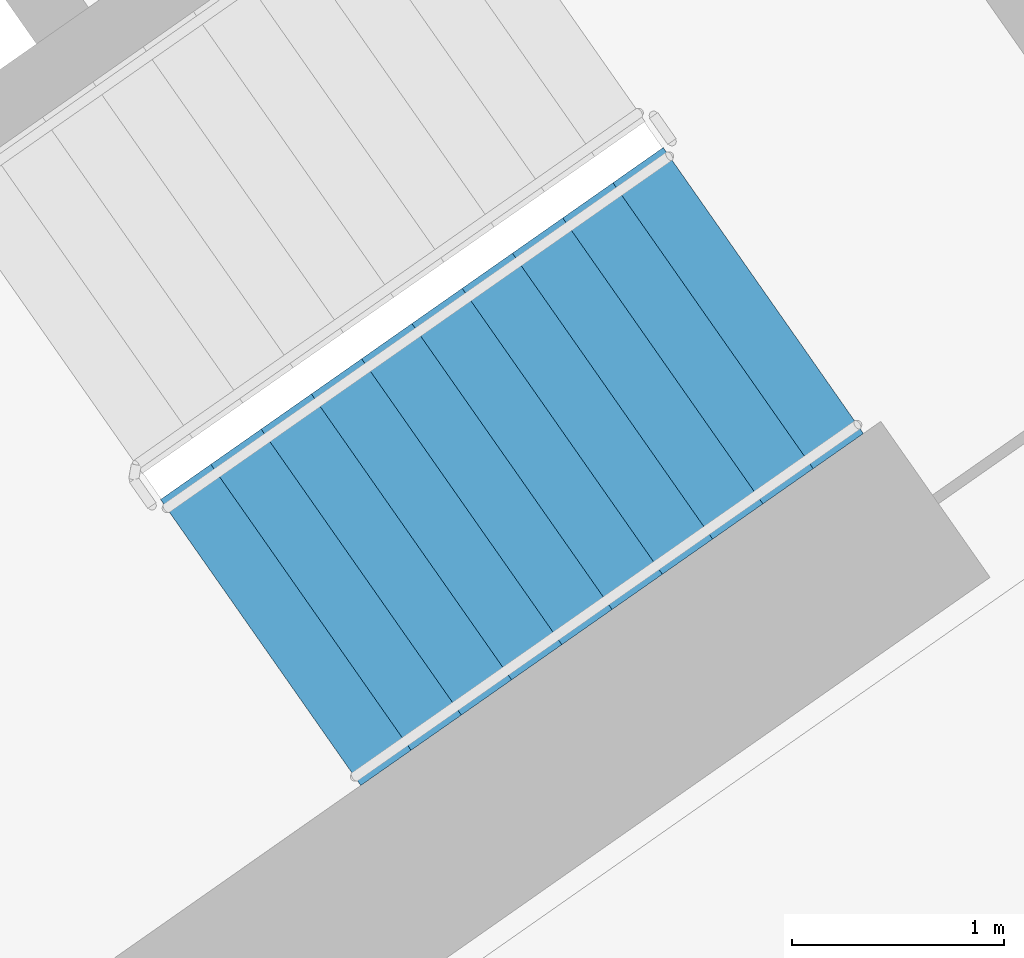
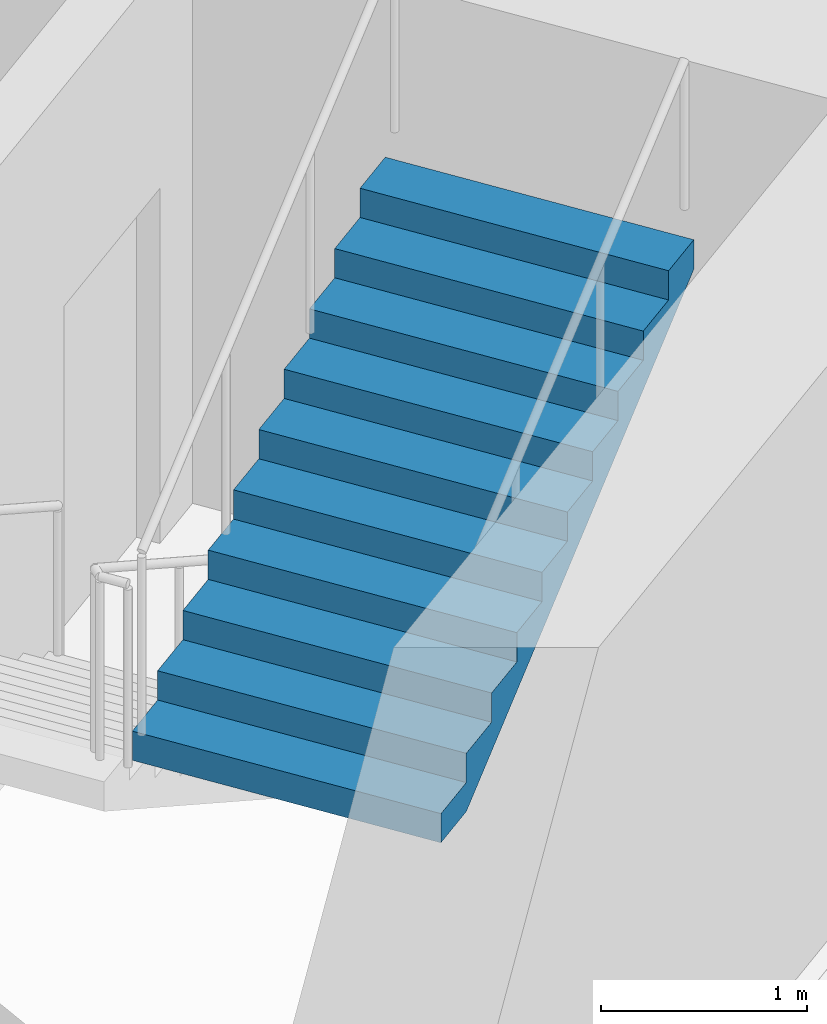
# One storey, part 14 of 28: 1 stair flight, 1 element without a shape of its own.
"""IFC4 building model written with IfcOpenShell, lengths in metres."""

import ifcopenshell
import ifcopenshell.guid

model = None  # the IFC model being written
_history = None  # IfcOwnerHistory: only IFC2X3 demands one
_inside = {}  # id of a spatial element -> (the spatial element, [elements in it])
_under = {}  # id of a project, library or spatial element -> (it, [spatial elements below it])
_declared = {}  # id of a project -> (the project, [libraries it declares])
_typed = {}  # id of a type object -> (the type object, [elements of that type])
_made_of = {}  # id of a material, layer set ... -> (it, [elements and type objects made of it])


def new_model(schema):
    """Start an empty IFC model of exactly this schema.

    Asked for "IFC4X3", IfcOpenShell would pick the latest addendum, in which some entities
    have other attributes; the version numbers below select the first issue.
    IFC2X3 requires an IfcOwnerHistory on every rooted entity: one is made here for all.
    """
    global model, _history
    if schema == "IFC4X3":
        model = ifcopenshell.file(schema_version=(4, 3, 0, 0))
    else:
        model = ifcopenshell.file(schema=schema)
    _inside.clear()
    _under.clear()
    _declared.clear()
    _typed.clear()
    _made_of.clear()
    _history = None
    if model.schema == "IFC2X3":
        org = make("IfcOrganization", Name="unknown")
        user = make(
            "IfcPersonAndOrganization",
            ThePerson=make("IfcPerson", FamilyName="unknown"),
            TheOrganization=org,
        )
        app = make(
            "IfcApplication",
            ApplicationDeveloper=org,
            Version="unknown",
            ApplicationFullName="unknown",
            ApplicationIdentifier="unknown",
        )
        _history = make(
            "IfcOwnerHistory",
            OwningUser=user,
            OwningApplication=app,
            ChangeAction="ADDED",
            CreationDate=0,
        )
    return model


def make(cls, **values):
    """One entity of the class cls with the attributes given. An attribute that is None is left unset."""
    return model.create_entity(
        cls, **{name: value for name, value in values.items() if value is not None}
    )


def rooted(cls, **values):
    """An entity with a GlobalId (a new one), such as an element, a storey or a relation."""
    return make(cls, GlobalId=ifcopenshell.guid.new(), OwnerHistory=_history, **values)


def si_unit(unit_type, name, prefix=None):
    """IfcSIUnit, for example si_unit("LENGTHUNIT", "METRE", prefix="MILLI")."""
    return make("IfcSIUnit", UnitType=unit_type, Prefix=prefix, Name=name)


def assignment(units):
    """IfcUnitAssignment: the units of a project."""
    return None if units is None else make("IfcUnitAssignment", Units=units)


def point(xyz):
    """IfcCartesianPoint."""
    return None if xyz is None else make("IfcCartesianPoint", Coordinates=xyz)


def direction(xyz):
    """IfcDirection."""
    return None if xyz is None else make("IfcDirection", DirectionRatios=xyz)


def frame(location, z_axis=None, x_axis=None):
    """IfcAxis2Placement3D, a coordinate frame: its origin and axes. An axis left out is left unset."""
    return make(
        "IfcAxis2Placement3D",
        Location=point(location),
        Axis=direction(z_axis),
        RefDirection=direction(x_axis),
    )


def origin():
    """The frame at (0, 0, 0) with its axes left unset."""
    return frame((0.0, 0.0, 0.0))


def place(relative_to, where):
    """IfcLocalPlacement: puts the frame where relative to a parent placement (None: the world)."""
    return make(
        "IfcLocalPlacement", PlacementRelTo=relative_to, RelativePlacement=where
    )


def context(
    kind, dimensions, precision=None, world=None, true_north=None, identifier=None
):
    """IfcGeometricRepresentationContext, for example the 3D "Model" context."""
    return make(
        "IfcGeometricRepresentationContext",
        ContextIdentifier=identifier,
        ContextType=kind,
        CoordinateSpaceDimension=dimensions,
        Precision=precision,
        WorldCoordinateSystem=world,
        TrueNorth=true_north,
    )


def subcontext(parent, identifier, kind, view, scale=None):
    """IfcGeometricRepresentationSubContext, for example "Body" below "Model"."""
    return make(
        "IfcGeometricRepresentationSubContext",
        ContextIdentifier=identifier,
        ContextType=kind,
        ParentContext=parent,
        TargetScale=scale,
        TargetView=view,
    )


def project(units=None, contexts=None):
    """IfcProject with its units and contexts."""
    return rooted(
        "IfcProject",
        Name="project",
        RepresentationContexts=contexts,
        UnitsInContext=assignment(units),
    )


def spatial(cls, under=None, at=None, **own):
    """A site, building, storey or space (cls), placed at a placement, below another one or the project."""
    s = rooted(cls, ObjectPlacement=at, **own)
    if under is not None:
        _under.setdefault(under.id(), (under, []))[1].append(s)
    return s


def faces_of(points, faces, orient=None, outer=None):
    """IfcFace entities. A face is a list of loops; a loop is a list of indices into points, from 0.

    orient and outer hold one flag for each loop. By default every Orientation is true, the
    first loop of a face is its IfcFaceOuterBound and the others are IfcFaceBound.
    """
    made = []
    for i, loops in enumerate(faces):
        bounds = []
        for j, loop in enumerate(loops):
            is_outer = j == 0 if outer is None else outer[i][j]
            bounds.append(
                make(
                    "IfcFaceOuterBound" if is_outer else "IfcFaceBound",
                    Bound=make("IfcPolyLoop", Polygon=[points[k] for k in loop]),
                    Orientation=True if orient is None else orient[i][j],
                )
            )
        made.append(make("IfcFace", Bounds=bounds))
    return made


def faceted_brep(points, faces, orient=None, outer=None, voids=None):
    """IfcFacetedBrep: a solid bounded by flat faces; with voids (closed shells), ...WithVoids."""
    shared = [point(p) for p in points]
    hull = make("IfcClosedShell", CfsFaces=faces_of(shared, faces, orient, outer))
    if voids is None:
        return make("IfcFacetedBrep", Outer=hull)
    return make(
        "IfcFacetedBrepWithVoids",
        Outer=hull,
        Voids=[
            make(cls, CfsFaces=faces_of(shared, fs, o, b)) for cls, fs, o, b in voids
        ],
    )


def shape(context_of_items, identifier, shape_type, items):
    """IfcShapeRepresentation: the items that make up one representation, for example the "Body"."""
    return make(
        "IfcShapeRepresentation",
        ContextOfItems=context_of_items,
        RepresentationIdentifier=identifier,
        RepresentationType=shape_type,
        Items=items,
    )


def material(Name=None, Category=None):
    """IfcMaterial."""
    return make("IfcMaterial", Name=Name, Category=Category)


def made_of(thing, what):
    """Note that an element or type object is made of a material, layer set ...; save() writes the relation."""
    if what is not None:
        _made_of.setdefault(what.id(), (what, []))[1].append(thing)
    return thing


def type_object(cls, material=None, **own):
    """A type object (cls), such as IfcWallType, which elements share."""
    return made_of(rooted(cls, **own), material)


def element(
    cls,
    number,
    at=None,
    inside=None,
    cuts=None,
    type_object=None,
    material=None,
    context=None,
    identifier="Body",
    shape_type=None,
    held_by="IfcProductDefinitionShape",
    body=None,
    shapes=None,
    **own,
):
    """One element of the class cls, such as IfcWall. Its Tag is "e" and its number.

    at: its placement. inside: the storey or other place that contains it. cuts: it is an
    opening in that element (IfcRelVoidsElement). A single representation is given by context,
    identifier, shape_type and body (its items); several are given by shapes. held_by: the class
    of the entity that holds the representations. save() writes the other relations.
    """
    e = rooted(cls, Tag="e%d" % number, ObjectPlacement=at, **own)
    if body is not None:
        shapes = [shape(context, identifier, shape_type, body)]
    if shapes is not None:
        e.Representation = make(held_by, Representations=shapes)
    if inside is not None:
        _inside.setdefault(inside.id(), (inside, []))[1].append(e)
    if cuts is not None:
        rooted(
            "IfcRelVoidsElement", RelatingBuildingElement=cuts, RelatedOpeningElement=e
        )
    if type_object is not None:
        _typed.setdefault(type_object.id(), (type_object, []))[1].append(e)
    return made_of(e, material)


def aggregate(whole, parts):
    """IfcRelAggregates: a whole, such as a stair, and the parts it consists of."""
    return rooted("IfcRelAggregates", RelatingObject=whole, RelatedObjects=parts)


def save(model, path):
    """Write the relations noted so far, then the file.

    IfcRelAggregates (storeys below a building ...), IfcRelContainedInSpatialStructure (elements
    in a storey), IfcRelDefinesByType, IfcRelAssociatesMaterial and IfcRelDeclares: one each for
    every whole, place, type object, material and project.
    """
    for whole, parts in _under.values():
        aggregate(whole, parts)
    for where, things in _inside.values():
        rooted(
            "IfcRelContainedInSpatialStructure",
            RelatedElements=things,
            RelatingStructure=where,
        )
    for kind, things in _typed.values():
        rooted("IfcRelDefinesByType", RelatedObjects=things, RelatingType=kind)
    for what, things in _made_of.values():
        rooted("IfcRelAssociatesMaterial", RelatedObjects=things, RelatingMaterial=what)
    for by, libraries in _declared.values():
        rooted("IfcRelDeclares", RelatingContext=by, RelatedDefinitions=libraries)
    model.write(path)


model = new_model("IFC4")

# Units and contexts
model_context = context("Model", 3, precision=1e-05, world=origin(), true_north=direction((0.0, 1.0)))
body_context = subcontext(model_context, "Body", "Model", "MODEL_VIEW")
ifc_project = project(units=[si_unit("LENGTHUNIT", "METRE"), si_unit("AREAUNIT", "SQUARE_METRE"), si_unit("VOLUMEUNIT", "CUBIC_METRE"), si_unit("PLANEANGLEUNIT", "RADIAN"), si_unit("MASSUNIT", "GRAM", prefix="KILO")], contexts=[model_context])

# Site, building, storey
site_placement = place(None, origin())
site = spatial("IfcSite", under=ifc_project, at=site_placement, CompositionType="ELEMENT")
building_placement = place(site_placement, origin())
building = spatial("IfcBuilding", under=site, at=building_placement, Name="Qamariyya Broadcast Tower", CompositionType="ELEMENT")
storey_placement = place(building_placement, frame((0.0, 0.0, 140.5)))
storey = spatial("IfcBuildingStorey", under=building, at=storey_placement, Name="L32", CompositionType="ELEMENT", Elevation=140.5)

# Stair, stair flight
ifc_material = material(Name="Concrete C50/60", Category="concrete")
stair_type = type_object("IfcStairType", Name="Exit stair 22 risers of 173 mm", PredefinedType="HALF_TURN_STAIR", material=ifc_material)
stair_placement = place(storey_placement, origin())
stair = element("IfcStair", 1, at=stair_placement, inside=storey, type_object=stair_type, Name="L32 Stair E1", PredefinedType="HALF_TURN_STAIR")
stair_flight_type = type_object("IfcStairFlightType", Name="Exit stair flight 11 risers of 173 mm", PredefinedType="STRAIGHT", material=ifc_material)
stair_flight_placement = place(storey_placement, frame((44.693359375, -58.64599609375, 1.89990234375), z_axis=(0.0, 0.0, 1.0), x_axis=(0.819152044289, 0.573576436351, 0.0)))
stair_flight = element("IfcStairFlight", 2, at=stair_flight_placement, type_object=stair_flight_type, Name="ST-E1 flight 2", NumberOfRisers=11, NumberOfTreads=10, PredefinedType="STRAIGHT", RiserHeight=0.172727273, TreadLength=0.29, context=body_context, shape_type="Brep", body=[
    faceted_brep([(0.0, 0.824951171875, 0.0), (0.0, 0.824951171875, 0.172607421875), (0.2900390625, 0.824951171875, 0.172607421875), (0.2900390625, 0.824951171875, 0.345458984375), (0.580078125, 0.824951171875, 0.345458984375), (0.580078125, 0.824951171875, 0.51806640625), (0.8701171875, 0.824951171875, 0.51806640625), (0.8701171875, 0.824951171875, 0.69091796875), (1.159912109375, 0.824951171875, 0.69091796875), (1.159912109375, 0.824951171875, 0.863525390625), (1.449951171875, 0.824951171875, 0.863525390625), (1.449951171875, 0.824951171875, 1.036376953125), (1.739990234375, 0.824951171875, 1.036376953125), (1.739990234375, 0.824951171875, 1.208984375), (2.030029296875, 0.824951171875, 1.208984375), (2.030029296875, 0.824951171875, 1.3818359375), (2.320068359375, 0.824951171875, 1.3818359375), (2.320068359375, 0.824951171875, 1.554443359375), (2.610107421875, 0.824951171875, 1.554443359375), (2.610107421875, 0.824951171875, 1.727294921875), (2.89990234375, 0.824951171875, 1.727294921875), (2.89990234375, 0.824951171875, 1.552734375), (0.29296875, 0.824951171875, 0.0), (0.29296875, -0.824951171875, 0.0), (2.89990234375, -0.824951171875, 1.552734375), (2.89990234375, -0.824951171875, 1.727294921875), (2.610107421875, -0.824951171875, 1.727294921875), (2.610107421875, -0.824951171875, 1.554443359375), (2.320068359375, -0.824951171875, 1.554443359375), (2.320068359375, -0.824951171875, 1.3818359375), (2.030029296875, -0.824951171875, 1.3818359375), (2.030029296875, -0.824951171875, 1.208984375), (1.739990234375, -0.824951171875, 1.208984375), (1.739990234375, -0.824951171875, 1.036376953125), (1.449951171875, -0.824951171875, 1.036376953125), (1.449951171875, -0.824951171875, 0.863525390625), (1.159912109375, -0.824951171875, 0.863525390625), (1.159912109375, -0.824951171875, 0.69091796875), (0.8701171875, -0.824951171875, 0.69091796875), (0.8701171875, -0.824951171875, 0.51806640625), (0.580078125, -0.824951171875, 0.51806640625), (0.580078125, -0.824951171875, 0.345458984375), (0.2900390625, -0.824951171875, 0.345458984375), (0.2900390625, -0.824951171875, 0.172607421875), (0.0, -0.824951171875, 0.172607421875), (0.0, -0.824951171875, 0.0), (0.0, 0.10009765625, 0.0), (0.0, 0.086669921875, 0.0), (0.0, 0.0732421875, 0.0), (0.0, 0.06005859375, 0.0), (0.0, 0.046630859375, 0.0), (0.0, 0.033447265625, 0.0), (0.0, 0.02001953125, 0.0), (0.0, 0.006591796875, 0.0), (0.0, -0.006591796875, 0.0), (0.0, -0.02001953125, 0.0), (0.0, -0.033447265625, 0.0), (0.0, -0.046630859375, 0.0), (0.0, -0.06005859375, 0.0), (0.0, -0.0732421875, 0.0), (0.0, -0.086669921875, 0.0), (0.0, -0.10009765625, 0.0), (0.0, -0.10009765625, 0.172607421875), (0.0, -0.086669921875, 0.172607421875), (0.0, -0.0732421875, 0.172607421875), (0.0, -0.06005859375, 0.172607421875), (0.0, -0.046630859375, 0.172607421875), (0.0, -0.033447265625, 0.172607421875), (0.0, -0.02001953125, 0.172607421875), (0.0, -0.006591796875, 0.172607421875), (0.0, 0.006591796875, 0.172607421875), (0.0, 0.02001953125, 0.172607421875), (0.0, 0.033447265625, 0.172607421875), (0.0, 0.046630859375, 0.172607421875), (0.0, 0.06005859375, 0.172607421875), (0.0, 0.0732421875, 0.172607421875), (0.0, 0.086669921875, 0.172607421875), (0.0, 0.10009765625, 0.172607421875), (0.2900390625, -0.10009765625, 0.172607421875), (0.2900390625, -0.086669921875, 0.172607421875), (0.2900390625, -0.0732421875, 0.172607421875), (0.2900390625, -0.06005859375, 0.172607421875), (0.2900390625, -0.046630859375, 0.172607421875), (0.2900390625, -0.033447265625, 0.172607421875), (0.2900390625, -0.02001953125, 0.172607421875), (0.2900390625, -0.006591796875, 0.172607421875), (0.2900390625, 0.006591796875, 0.172607421875), (0.2900390625, 0.02001953125, 0.172607421875), (0.2900390625, 0.033447265625, 0.172607421875), (0.2900390625, 0.046630859375, 0.172607421875), (0.2900390625, 0.06005859375, 0.172607421875), (0.2900390625, 0.0732421875, 0.172607421875), (0.2900390625, 0.086669921875, 0.172607421875), (0.2900390625, 0.10009765625, 0.172607421875), (0.2900390625, -0.10009765625, 0.345458984375), (0.2900390625, -0.086669921875, 0.345458984375), (0.2900390625, -0.0732421875, 0.345458984375), (0.2900390625, -0.06005859375, 0.345458984375), (0.2900390625, -0.046630859375, 0.345458984375), (0.2900390625, -0.033447265625, 0.345458984375), (0.2900390625, -0.02001953125, 0.345458984375), (0.2900390625, -0.006591796875, 0.345458984375), (0.2900390625, 0.006591796875, 0.345458984375), (0.2900390625, 0.02001953125, 0.345458984375), (0.2900390625, 0.033447265625, 0.345458984375), (0.2900390625, 0.046630859375, 0.345458984375), (0.2900390625, 0.06005859375, 0.345458984375), (0.2900390625, 0.0732421875, 0.345458984375), (0.2900390625, 0.086669921875, 0.345458984375), (0.2900390625, 0.10009765625, 0.345458984375), (0.580078125, -0.10009765625, 0.345458984375), (0.580078125, -0.086669921875, 0.345458984375), (0.580078125, -0.0732421875, 0.345458984375), (0.580078125, -0.06005859375, 0.345458984375), (0.580078125, -0.046630859375, 0.345458984375), (0.580078125, -0.033447265625, 0.345458984375), (0.580078125, -0.02001953125, 0.345458984375), (0.580078125, -0.006591796875, 0.345458984375), (0.580078125, 0.006591796875, 0.345458984375), (0.580078125, 0.02001953125, 0.345458984375), (0.580078125, 0.033447265625, 0.345458984375), (0.580078125, 0.046630859375, 0.345458984375), (0.580078125, 0.06005859375, 0.345458984375), (0.580078125, 0.0732421875, 0.345458984375), (0.580078125, 0.086669921875, 0.345458984375), (0.580078125, 0.10009765625, 0.345458984375), (0.580078125, -0.10009765625, 0.51806640625), (0.580078125, -0.086669921875, 0.51806640625), (0.580078125, -0.0732421875, 0.51806640625), (0.580078125, -0.06005859375, 0.51806640625), (0.580078125, -0.046630859375, 0.51806640625), (0.580078125, -0.033447265625, 0.51806640625), (0.580078125, -0.02001953125, 0.51806640625), (0.580078125, -0.006591796875, 0.51806640625), (0.580078125, 0.006591796875, 0.51806640625), (0.580078125, 0.02001953125, 0.51806640625), (0.580078125, 0.033447265625, 0.51806640625), (0.580078125, 0.046630859375, 0.51806640625), (0.580078125, 0.06005859375, 0.51806640625), (0.580078125, 0.0732421875, 0.51806640625), (0.580078125, 0.086669921875, 0.51806640625), (0.580078125, 0.10009765625, 0.51806640625), (0.8701171875, -0.10009765625, 0.51806640625), (0.8701171875, -0.086669921875, 0.51806640625), (0.8701171875, -0.0732421875, 0.51806640625), (0.8701171875, -0.06005859375, 0.51806640625), (0.8701171875, -0.046630859375, 0.51806640625), (0.8701171875, -0.033447265625, 0.51806640625), (0.8701171875, -0.02001953125, 0.51806640625), (0.8701171875, -0.006591796875, 0.51806640625), (0.8701171875, 0.006591796875, 0.51806640625), (0.8701171875, 0.02001953125, 0.51806640625), (0.8701171875, 0.033447265625, 0.51806640625), (0.8701171875, 0.046630859375, 0.51806640625), (0.8701171875, 0.06005859375, 0.51806640625), (0.8701171875, 0.0732421875, 0.51806640625), (0.8701171875, 0.086669921875, 0.51806640625), (0.8701171875, 0.10009765625, 0.51806640625), (0.8701171875, -0.10009765625, 0.69091796875), (0.8701171875, -0.086669921875, 0.69091796875), (0.8701171875, -0.0732421875, 0.69091796875), (0.8701171875, -0.06005859375, 0.69091796875), (0.8701171875, -0.046630859375, 0.69091796875), (0.8701171875, -0.033447265625, 0.69091796875), (0.8701171875, -0.02001953125, 0.69091796875), (0.8701171875, -0.006591796875, 0.69091796875), (0.8701171875, 0.006591796875, 0.69091796875), (0.8701171875, 0.02001953125, 0.69091796875), (0.8701171875, 0.033447265625, 0.69091796875), (0.8701171875, 0.046630859375, 0.69091796875), (0.8701171875, 0.06005859375, 0.69091796875), (0.8701171875, 0.0732421875, 0.69091796875), (0.8701171875, 0.086669921875, 0.69091796875), (0.8701171875, 0.10009765625, 0.69091796875), (1.159912109375, -0.10009765625, 0.69091796875), (1.159912109375, -0.086669921875, 0.69091796875), (1.159912109375, -0.0732421875, 0.69091796875), (1.159912109375, -0.06005859375, 0.69091796875), (1.159912109375, -0.046630859375, 0.69091796875), (1.159912109375, -0.033447265625, 0.69091796875), (1.159912109375, -0.02001953125, 0.69091796875), (1.159912109375, -0.006591796875, 0.69091796875), (1.159912109375, 0.006591796875, 0.69091796875), (1.159912109375, 0.02001953125, 0.69091796875), (1.159912109375, 0.033447265625, 0.69091796875), (1.159912109375, 0.046630859375, 0.69091796875), (1.159912109375, 0.06005859375, 0.69091796875), (1.159912109375, 0.0732421875, 0.69091796875), (1.159912109375, 0.086669921875, 0.69091796875), (1.159912109375, 0.10009765625, 0.69091796875), (1.159912109375, -0.10009765625, 0.863525390625), (1.159912109375, -0.086669921875, 0.863525390625), (1.159912109375, -0.0732421875, 0.863525390625), (1.159912109375, -0.06005859375, 0.863525390625), (1.159912109375, -0.046630859375, 0.863525390625), (1.159912109375, -0.033447265625, 0.863525390625), (1.159912109375, -0.02001953125, 0.863525390625), (1.159912109375, -0.006591796875, 0.863525390625), (1.159912109375, 0.006591796875, 0.863525390625), (1.159912109375, 0.02001953125, 0.863525390625), (1.159912109375, 0.033447265625, 0.863525390625), (1.159912109375, 0.046630859375, 0.863525390625), (1.159912109375, 0.06005859375, 0.863525390625), (1.159912109375, 0.0732421875, 0.863525390625), (1.159912109375, 0.086669921875, 0.863525390625), (1.159912109375, 0.10009765625, 0.863525390625), (1.449951171875, -0.10009765625, 0.863525390625), (1.449951171875, -0.086669921875, 0.863525390625), (1.449951171875, -0.0732421875, 0.863525390625), (1.449951171875, -0.06005859375, 0.863525390625), (1.449951171875, -0.046630859375, 0.863525390625), (1.449951171875, -0.033447265625, 0.863525390625), (1.449951171875, -0.02001953125, 0.863525390625), (1.449951171875, -0.006591796875, 0.863525390625), (1.449951171875, 0.006591796875, 0.863525390625), (1.449951171875, 0.02001953125, 0.863525390625), (1.449951171875, 0.033447265625, 0.863525390625), (1.449951171875, 0.046630859375, 0.863525390625), (1.449951171875, 0.06005859375, 0.863525390625), (1.449951171875, 0.0732421875, 0.863525390625), (1.449951171875, 0.086669921875, 0.863525390625), (1.449951171875, 0.10009765625, 0.863525390625), (1.449951171875, -0.10009765625, 1.036376953125), (1.449951171875, -0.086669921875, 1.036376953125), (1.449951171875, -0.0732421875, 1.036376953125), (1.449951171875, -0.06005859375, 1.036376953125), (1.449951171875, -0.046630859375, 1.036376953125), (1.449951171875, -0.033447265625, 1.036376953125), (1.449951171875, -0.02001953125, 1.036376953125), (1.449951171875, -0.006591796875, 1.036376953125), (1.449951171875, 0.006591796875, 1.036376953125), (1.449951171875, 0.02001953125, 1.036376953125), (1.449951171875, 0.033447265625, 1.036376953125), (1.449951171875, 0.046630859375, 1.036376953125), (1.449951171875, 0.06005859375, 1.036376953125), (1.449951171875, 0.0732421875, 1.036376953125), (1.449951171875, 0.086669921875, 1.036376953125), (1.449951171875, 0.10009765625, 1.036376953125), (1.739990234375, -0.10009765625, 1.036376953125), (1.739990234375, -0.086669921875, 1.036376953125), (1.739990234375, -0.0732421875, 1.036376953125), (1.739990234375, -0.06005859375, 1.036376953125), (1.739990234375, -0.046630859375, 1.036376953125), (1.739990234375, -0.033447265625, 1.036376953125), (1.739990234375, -0.02001953125, 1.036376953125), (1.739990234375, -0.006591796875, 1.036376953125), (1.739990234375, 0.006591796875, 1.036376953125), (1.739990234375, 0.02001953125, 1.036376953125), (1.739990234375, 0.033447265625, 1.036376953125), (1.739990234375, 0.046630859375, 1.036376953125), (1.739990234375, 0.06005859375, 1.036376953125), (1.739990234375, 0.0732421875, 1.036376953125), (1.739990234375, 0.086669921875, 1.036376953125), (1.739990234375, 0.10009765625, 1.036376953125), (1.739990234375, -0.10009765625, 1.208984375), (1.739990234375, -0.086669921875, 1.208984375), (1.739990234375, -0.0732421875, 1.208984375), (1.739990234375, -0.06005859375, 1.208984375), (1.739990234375, -0.046630859375, 1.208984375), (1.739990234375, -0.033447265625, 1.208984375), (1.739990234375, -0.02001953125, 1.208984375), (1.739990234375, -0.006591796875, 1.208984375), (1.739990234375, 0.006591796875, 1.208984375), (1.739990234375, 0.02001953125, 1.208984375), (1.739990234375, 0.033447265625, 1.208984375), (1.739990234375, 0.046630859375, 1.208984375), (1.739990234375, 0.06005859375, 1.208984375), (1.739990234375, 0.0732421875, 1.208984375), (1.739990234375, 0.086669921875, 1.208984375), (1.739990234375, 0.10009765625, 1.208984375), (2.030029296875, -0.10009765625, 1.208984375), (2.030029296875, -0.086669921875, 1.208984375), (2.030029296875, -0.0732421875, 1.208984375), (2.030029296875, -0.06005859375, 1.208984375), (2.030029296875, -0.046630859375, 1.208984375), (2.030029296875, -0.033447265625, 1.208984375), (2.030029296875, -0.02001953125, 1.208984375), (2.030029296875, -0.006591796875, 1.208984375), (2.030029296875, 0.006591796875, 1.208984375), (2.030029296875, 0.02001953125, 1.208984375), (2.030029296875, 0.033447265625, 1.208984375), (2.030029296875, 0.046630859375, 1.208984375), (2.030029296875, 0.06005859375, 1.208984375), (2.030029296875, 0.0732421875, 1.208984375), (2.030029296875, 0.086669921875, 1.208984375), (2.030029296875, 0.10009765625, 1.208984375), (2.030029296875, -0.10009765625, 1.3818359375), (2.030029296875, -0.086669921875, 1.3818359375), (2.030029296875, -0.0732421875, 1.3818359375), (2.030029296875, -0.06005859375, 1.3818359375), (2.030029296875, -0.046630859375, 1.3818359375), (2.030029296875, -0.033447265625, 1.3818359375), (2.030029296875, -0.02001953125, 1.3818359375), (2.030029296875, -0.006591796875, 1.3818359375), (2.030029296875, 0.006591796875, 1.3818359375), (2.030029296875, 0.02001953125, 1.3818359375), (2.030029296875, 0.033447265625, 1.3818359375), (2.030029296875, 0.046630859375, 1.3818359375), (2.030029296875, 0.06005859375, 1.3818359375), (2.030029296875, 0.0732421875, 1.3818359375), (2.030029296875, 0.086669921875, 1.3818359375), (2.030029296875, 0.10009765625, 1.3818359375), (2.320068359375, -0.10009765625, 1.3818359375), (2.320068359375, -0.086669921875, 1.3818359375), (2.320068359375, -0.0732421875, 1.3818359375), (2.320068359375, -0.06005859375, 1.3818359375), (2.320068359375, -0.046630859375, 1.3818359375), (2.320068359375, -0.033447265625, 1.3818359375), (2.320068359375, -0.02001953125, 1.3818359375), (2.320068359375, -0.006591796875, 1.3818359375), (2.320068359375, 0.006591796875, 1.3818359375), (2.320068359375, 0.02001953125, 1.3818359375), (2.320068359375, 0.033447265625, 1.3818359375), (2.320068359375, 0.046630859375, 1.3818359375), (2.320068359375, 0.06005859375, 1.3818359375), (2.320068359375, 0.0732421875, 1.3818359375), (2.320068359375, 0.086669921875, 1.3818359375), (2.320068359375, 0.10009765625, 1.3818359375), (2.320068359375, -0.10009765625, 1.554443359375), (2.320068359375, -0.086669921875, 1.554443359375), (2.320068359375, -0.0732421875, 1.554443359375), (2.320068359375, -0.06005859375, 1.554443359375), (2.320068359375, -0.046630859375, 1.554443359375), (2.320068359375, -0.033447265625, 1.554443359375), (2.320068359375, -0.02001953125, 1.554443359375), (2.320068359375, -0.006591796875, 1.554443359375), (2.320068359375, 0.006591796875, 1.554443359375), (2.320068359375, 0.02001953125, 1.554443359375), (2.320068359375, 0.033447265625, 1.554443359375), (2.320068359375, 0.046630859375, 1.554443359375), (2.320068359375, 0.06005859375, 1.554443359375), (2.320068359375, 0.0732421875, 1.554443359375), (2.320068359375, 0.086669921875, 1.554443359375), (2.320068359375, 0.10009765625, 1.554443359375), (2.610107421875, -0.10009765625, 1.554443359375), (2.610107421875, -0.086669921875, 1.554443359375), (2.610107421875, -0.0732421875, 1.554443359375), (2.610107421875, -0.06005859375, 1.554443359375), (2.610107421875, -0.046630859375, 1.554443359375), (2.610107421875, -0.033447265625, 1.554443359375), (2.610107421875, -0.02001953125, 1.554443359375), (2.610107421875, -0.006591796875, 1.554443359375), (2.610107421875, 0.006591796875, 1.554443359375), (2.610107421875, 0.02001953125, 1.554443359375), (2.610107421875, 0.033447265625, 1.554443359375), (2.610107421875, 0.046630859375, 1.554443359375), (2.610107421875, 0.06005859375, 1.554443359375), (2.610107421875, 0.0732421875, 1.554443359375), (2.610107421875, 0.086669921875, 1.554443359375), (2.610107421875, 0.10009765625, 1.554443359375), (2.610107421875, -0.10009765625, 1.727294921875), (2.610107421875, -0.086669921875, 1.727294921875), (2.610107421875, -0.0732421875, 1.727294921875), (2.610107421875, -0.06005859375, 1.727294921875), (2.610107421875, -0.046630859375, 1.727294921875), (2.610107421875, -0.033447265625, 1.727294921875), (2.610107421875, -0.02001953125, 1.727294921875), (2.610107421875, -0.006591796875, 1.727294921875), (2.610107421875, 0.006591796875, 1.727294921875), (2.610107421875, 0.02001953125, 1.727294921875), (2.610107421875, 0.033447265625, 1.727294921875), (2.610107421875, 0.046630859375, 1.727294921875), (2.610107421875, 0.06005859375, 1.727294921875), (2.610107421875, 0.0732421875, 1.727294921875), (2.610107421875, 0.086669921875, 1.727294921875), (2.610107421875, 0.10009765625, 1.727294921875), (2.89990234375, -0.10009765625, 1.727294921875), (2.89990234375, -0.086669921875, 1.727294921875), (2.89990234375, -0.0732421875, 1.727294921875), (2.89990234375, -0.06005859375, 1.727294921875), (2.89990234375, -0.046630859375, 1.727294921875), (2.89990234375, -0.033447265625, 1.727294921875), (2.89990234375, -0.02001953125, 1.727294921875), (2.89990234375, -0.006591796875, 1.727294921875), (2.89990234375, 0.006591796875, 1.727294921875), (2.89990234375, 0.02001953125, 1.727294921875), (2.89990234375, 0.033447265625, 1.727294921875), (2.89990234375, 0.046630859375, 1.727294921875), (2.89990234375, 0.06005859375, 1.727294921875), (2.89990234375, 0.0732421875, 1.727294921875), (2.89990234375, 0.086669921875, 1.727294921875), (2.89990234375, 0.10009765625, 1.727294921875), (2.89990234375, -0.10009765625, 1.552734375), (2.89990234375, -0.086669921875, 1.552734375), (2.89990234375, -0.0732421875, 1.552734375), (2.89990234375, -0.06005859375, 1.552734375), (2.89990234375, -0.046630859375, 1.552734375), (2.89990234375, -0.033447265625, 1.552734375), (2.89990234375, -0.02001953125, 1.552734375), (2.89990234375, -0.006591796875, 1.552734375), (2.89990234375, 0.006591796875, 1.552734375), (2.89990234375, 0.02001953125, 1.552734375), (2.89990234375, 0.033447265625, 1.552734375), (2.89990234375, 0.046630859375, 1.552734375), (2.89990234375, 0.06005859375, 1.552734375), (2.89990234375, 0.0732421875, 1.552734375), (2.89990234375, 0.086669921875, 1.552734375), (2.89990234375, 0.10009765625, 1.552734375), (0.29296875, -0.10009765625, 0.0), (0.29296875, -0.086669921875, 0.0), (0.29296875, -0.0732421875, 0.0), (0.29296875, -0.06005859375, 0.0), (0.29296875, -0.046630859375, 0.0), (0.29296875, -0.033447265625, 0.0), (0.29296875, -0.02001953125, 0.0), (0.29296875, -0.006591796875, 0.0), (0.29296875, 0.006591796875, 0.0), (0.29296875, 0.02001953125, 0.0), (0.29296875, 0.033447265625, 0.0), (0.29296875, 0.046630859375, 0.0), (0.29296875, 0.06005859375, 0.0), (0.29296875, 0.0732421875, 0.0), (0.29296875, 0.086669921875, 0.0), (0.29296875, 0.10009765625, 0.0)], [[[0, 1, 2, 3, 4, 5, 6, 7, 8, 9, 10, 11, 12, 13, 14, 15, 16, 17, 18, 19, 20, 21, 22]], [[23, 24, 25, 26, 27, 28, 29, 30, 31, 32, 33, 34, 35, 36, 37, 38, 39, 40, 41, 42, 43, 44, 45]], [[0, 46, 47, 48, 49, 50, 51, 52, 53, 54, 55, 56, 57, 58, 59, 60, 61, 45, 44, 62, 63, 64, 65, 66, 67, 68, 69, 70, 71, 72, 73, 74, 75, 76, 77, 1]], [[1, 77, 76, 75, 74, 73, 72, 71, 70, 69, 68, 67, 66, 65, 64, 63, 62, 44, 43, 78, 79, 80, 81, 82, 83, 84, 85, 86, 87, 88, 89, 90, 91, 92, 93, 2]], [[2, 93, 92, 91, 90, 89, 88, 87, 86, 85, 84, 83, 82, 81, 80, 79, 78, 43, 42, 94, 95, 96, 97, 98, 99, 100, 101, 102, 103, 104, 105, 106, 107, 108, 109, 3]], [[3, 109, 108, 107, 106, 105, 104, 103, 102, 101, 100, 99, 98, 97, 96, 95, 94, 42, 41, 110, 111, 112, 113, 114, 115, 116, 117, 118, 119, 120, 121, 122, 123, 124, 125, 4]], [[4, 125, 124, 123, 122, 121, 120, 119, 118, 117, 116, 115, 114, 113, 112, 111, 110, 41, 40, 126, 127, 128, 129, 130, 131, 132, 133, 134, 135, 136, 137, 138, 139, 140, 141, 5]], [[5, 141, 140, 139, 138, 137, 136, 135, 134, 133, 132, 131, 130, 129, 128, 127, 126, 40, 39, 142, 143, 144, 145, 146, 147, 148, 149, 150, 151, 152, 153, 154, 155, 156, 157, 6]], [[6, 157, 156, 155, 154, 153, 152, 151, 150, 149, 148, 147, 146, 145, 144, 143, 142, 39, 38, 158, 159, 160, 161, 162, 163, 164, 165, 166, 167, 168, 169, 170, 171, 172, 173, 7]], [[7, 173, 172, 171, 170, 169, 168, 167, 166, 165, 164, 163, 162, 161, 160, 159, 158, 38, 37, 174, 175, 176, 177, 178, 179, 180, 181, 182, 183, 184, 185, 186, 187, 188, 189, 8]], [[8, 189, 188, 187, 186, 185, 184, 183, 182, 181, 180, 179, 178, 177, 176, 175, 174, 37, 36, 190, 191, 192, 193, 194, 195, 196, 197, 198, 199, 200, 201, 202, 203, 204, 205, 9]], [[9, 205, 204, 203, 202, 201, 200, 199, 198, 197, 196, 195, 194, 193, 192, 191, 190, 36, 35, 206, 207, 208, 209, 210, 211, 212, 213, 214, 215, 216, 217, 218, 219, 220, 221, 10]], [[10, 221, 220, 219, 218, 217, 216, 215, 214, 213, 212, 211, 210, 209, 208, 207, 206, 35, 34, 222, 223, 224, 225, 226, 227, 228, 229, 230, 231, 232, 233, 234, 235, 236, 237, 11]], [[11, 237, 236, 235, 234, 233, 232, 231, 230, 229, 228, 227, 226, 225, 224, 223, 222, 34, 33, 238, 239, 240, 241, 242, 243, 244, 245, 246, 247, 248, 249, 250, 251, 252, 253, 12]], [[12, 253, 252, 251, 250, 249, 248, 247, 246, 245, 244, 243, 242, 241, 240, 239, 238, 33, 32, 254, 255, 256, 257, 258, 259, 260, 261, 262, 263, 264, 265, 266, 267, 268, 269, 13]], [[13, 269, 268, 267, 266, 265, 264, 263, 262, 261, 260, 259, 258, 257, 256, 255, 254, 32, 31, 270, 271, 272, 273, 274, 275, 276, 277, 278, 279, 280, 281, 282, 283, 284, 285, 14]], [[14, 285, 284, 283, 282, 281, 280, 279, 278, 277, 276, 275, 274, 273, 272, 271, 270, 31, 30, 286, 287, 288, 289, 290, 291, 292, 293, 294, 295, 296, 297, 298, 299, 300, 301, 15]], [[15, 301, 300, 299, 298, 297, 296, 295, 294, 293, 292, 291, 290, 289, 288, 287, 286, 30, 29, 302, 303, 304, 305, 306, 307, 308, 309, 310, 311, 312, 313, 314, 315, 316, 317, 16]], [[16, 317, 316, 315, 314, 313, 312, 311, 310, 309, 308, 307, 306, 305, 304, 303, 302, 29, 28, 318, 319, 320, 321, 322, 323, 324, 325, 326, 327, 328, 329, 330, 331, 332, 333, 17]], [[17, 333, 332, 331, 330, 329, 328, 327, 326, 325, 324, 323, 322, 321, 320, 319, 318, 28, 27, 334, 335, 336, 337, 338, 339, 340, 341, 342, 343, 344, 345, 346, 347, 348, 349, 18]], [[18, 349, 348, 347, 346, 345, 344, 343, 342, 341, 340, 339, 338, 337, 336, 335, 334, 27, 26, 350, 351, 352, 353, 354, 355, 356, 357, 358, 359, 360, 361, 362, 363, 364, 365, 19]], [[19, 365, 364, 363, 362, 361, 360, 359, 358, 357, 356, 355, 354, 353, 352, 351, 350, 26, 25, 366, 367, 368, 369, 370, 371, 372, 373, 374, 375, 376, 377, 378, 379, 380, 381, 20]], [[20, 381, 380, 379, 378, 377, 376, 375, 374, 373, 372, 371, 370, 369, 368, 367, 366, 25, 24, 382, 383, 384, 385, 386, 387, 388, 389, 390, 391, 392, 393, 394, 395, 396, 397, 21]], [[21, 397, 396, 395, 394, 393, 392, 391, 390, 389, 388, 387, 386, 385, 384, 383, 382, 24, 23, 398, 399, 400, 401, 402, 403, 404, 405, 406, 407, 408, 409, 410, 411, 412, 413, 22]], [[22, 413, 412, 411, 410, 409, 408, 407, 406, 405, 404, 403, 402, 401, 400, 399, 398, 23, 45, 61, 60, 59, 58, 57, 56, 55, 54, 53, 52, 51, 50, 49, 48, 47, 46, 0]]]),
])
aggregate(stair, [stair_flight])

save(model, "model.ifc")
